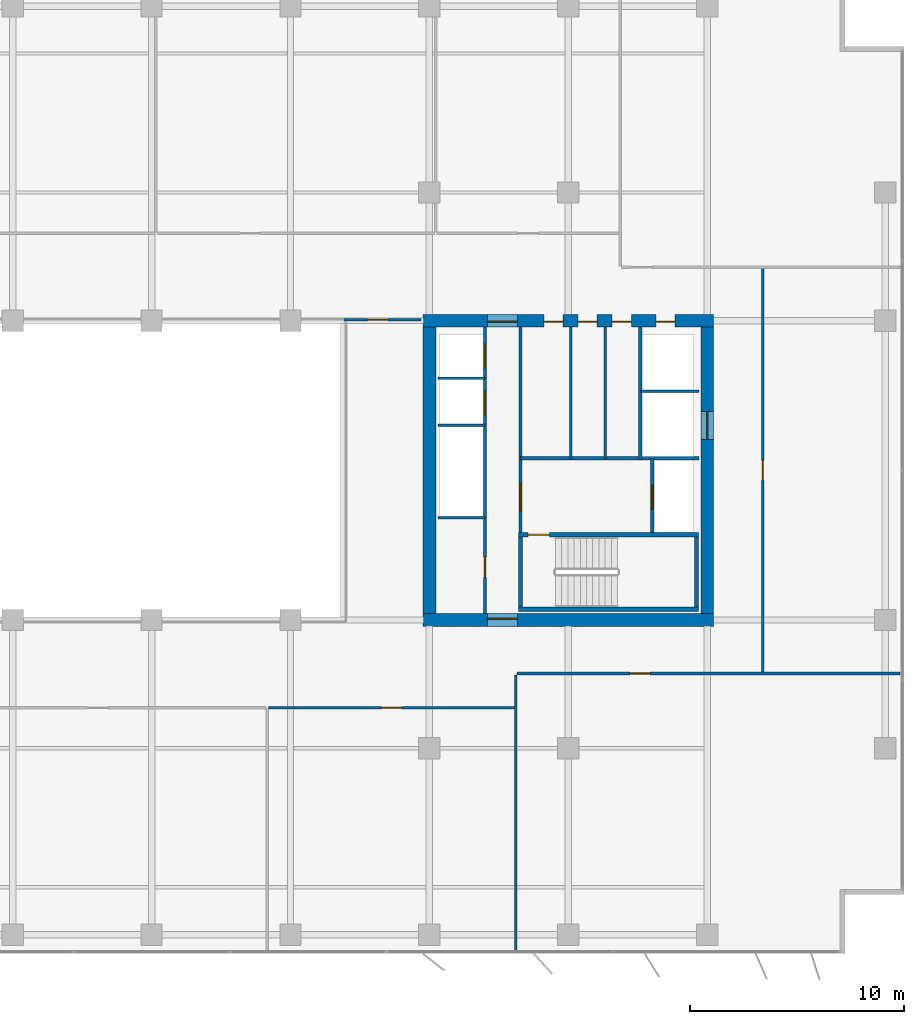
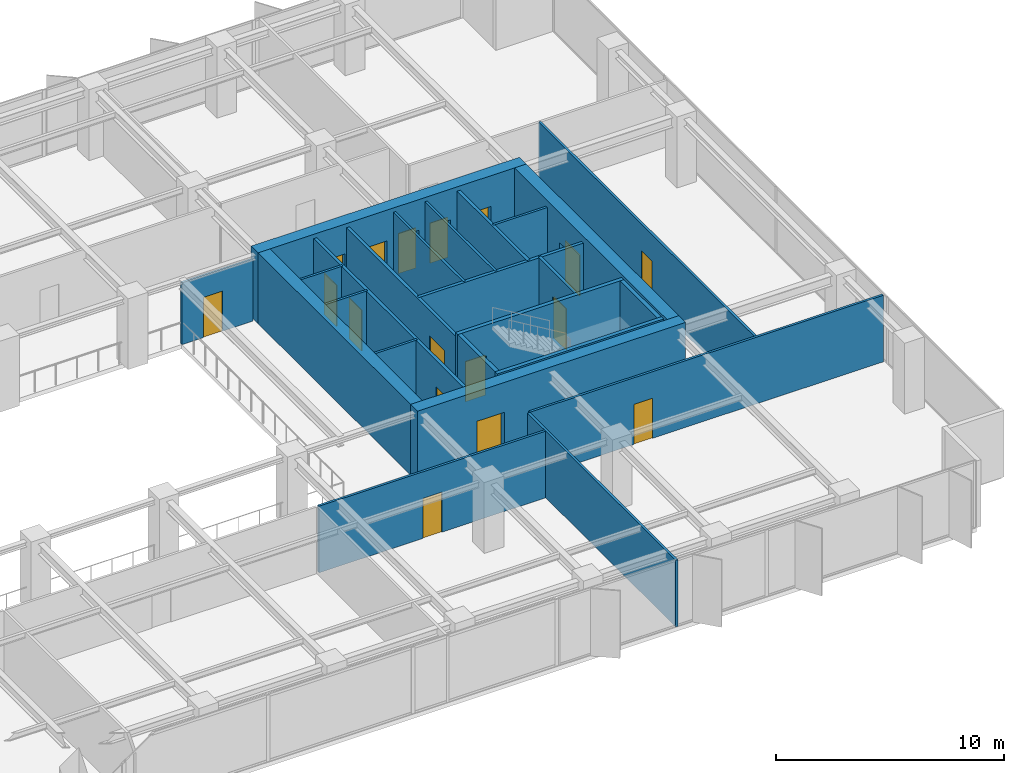
# One storey, part 16 of 22: 24 walls, 17 doors, 17 openings.
"""IFC4 building model written with IfcOpenShell, lengths in metres."""

import ifcopenshell
import ifcopenshell.guid

model = None  # the IFC model being written
_history = None  # IfcOwnerHistory: only IFC2X3 demands one
_inside = {}  # id of a spatial element -> (the spatial element, [elements in it])
_under = {}  # id of a project, library or spatial element -> (it, [spatial elements below it])
_declared = {}  # id of a project -> (the project, [libraries it declares])
_typed = {}  # id of a type object -> (the type object, [elements of that type])
_made_of = {}  # id of a material, layer set ... -> (it, [elements and type objects made of it])


def new_model(schema):
    """Start an empty IFC model of exactly this schema.

    Asked for "IFC4X3", IfcOpenShell would pick the latest addendum, in which some entities
    have other attributes; the version numbers below select the first issue.
    IFC2X3 requires an IfcOwnerHistory on every rooted entity: one is made here for all.
    """
    global model, _history
    if schema == "IFC4X3":
        model = ifcopenshell.file(schema_version=(4, 3, 0, 0))
    else:
        model = ifcopenshell.file(schema=schema)
    _inside.clear()
    _under.clear()
    _declared.clear()
    _typed.clear()
    _made_of.clear()
    _history = None
    if model.schema == "IFC2X3":
        org = make("IfcOrganization", Name="unknown")
        user = make(
            "IfcPersonAndOrganization",
            ThePerson=make("IfcPerson", FamilyName="unknown"),
            TheOrganization=org,
        )
        app = make(
            "IfcApplication",
            ApplicationDeveloper=org,
            Version="unknown",
            ApplicationFullName="unknown",
            ApplicationIdentifier="unknown",
        )
        _history = make(
            "IfcOwnerHistory",
            OwningUser=user,
            OwningApplication=app,
            ChangeAction="ADDED",
            CreationDate=0,
        )
    return model


def make(cls, **values):
    """One entity of the class cls with the attributes given. An attribute that is None is left unset."""
    return model.create_entity(
        cls, **{name: value for name, value in values.items() if value is not None}
    )


def rooted(cls, **values):
    """An entity with a GlobalId (a new one), such as an element, a storey or a relation."""
    return make(cls, GlobalId=ifcopenshell.guid.new(), OwnerHistory=_history, **values)


def si_unit(unit_type, name, prefix=None):
    """IfcSIUnit, for example si_unit("LENGTHUNIT", "METRE", prefix="MILLI")."""
    return make("IfcSIUnit", UnitType=unit_type, Prefix=prefix, Name=name)


def assignment(units):
    """IfcUnitAssignment: the units of a project."""
    return None if units is None else make("IfcUnitAssignment", Units=units)


def point(xyz):
    """IfcCartesianPoint."""
    return None if xyz is None else make("IfcCartesianPoint", Coordinates=xyz)


def direction(xyz):
    """IfcDirection."""
    return None if xyz is None else make("IfcDirection", DirectionRatios=xyz)


def frame(location, z_axis=None, x_axis=None):
    """IfcAxis2Placement3D, a coordinate frame: its origin and axes. An axis left out is left unset."""
    return make(
        "IfcAxis2Placement3D",
        Location=point(location),
        Axis=direction(z_axis),
        RefDirection=direction(x_axis),
    )


def frame_2d(location, x_axis=None):
    """IfcAxis2Placement2D, a coordinate frame in the plane: its origin and x axis."""
    return make(
        "IfcAxis2Placement2D", Location=point(location), RefDirection=direction(x_axis)
    )


def origin():
    """The frame at (0, 0, 0) with its axes left unset."""
    return frame((0.0, 0.0, 0.0))


def place(relative_to, where):
    """IfcLocalPlacement: puts the frame where relative to a parent placement (None: the world)."""
    return make(
        "IfcLocalPlacement", PlacementRelTo=relative_to, RelativePlacement=where
    )


def context(
    kind, dimensions, precision=None, world=None, true_north=None, identifier=None
):
    """IfcGeometricRepresentationContext, for example the 3D "Model" context."""
    return make(
        "IfcGeometricRepresentationContext",
        ContextIdentifier=identifier,
        ContextType=kind,
        CoordinateSpaceDimension=dimensions,
        Precision=precision,
        WorldCoordinateSystem=world,
        TrueNorth=true_north,
    )


def subcontext(parent, identifier, kind, view, scale=None):
    """IfcGeometricRepresentationSubContext, for example "Body" below "Model"."""
    return make(
        "IfcGeometricRepresentationSubContext",
        ContextIdentifier=identifier,
        ContextType=kind,
        ParentContext=parent,
        TargetScale=scale,
        TargetView=view,
    )


def project(units=None, contexts=None):
    """IfcProject with its units and contexts."""
    return rooted(
        "IfcProject",
        Name="project",
        RepresentationContexts=contexts,
        UnitsInContext=assignment(units),
    )


def spatial(cls, under=None, at=None, **own):
    """A site, building, storey or space (cls), placed at a placement, below another one or the project."""
    s = rooted(cls, ObjectPlacement=at, **own)
    if under is not None:
        _under.setdefault(under.id(), (under, []))[1].append(s)
    return s


def profile(cls, at=None, kind="AREA", **sizes):
    """A parametric profile (cls). Its sizes go by their IFC names, for example OverallWidth=200.0."""
    return make(cls, ProfileType=kind, Position=at, **sizes)


def rectangle(**sizes):
    """IfcRectangleProfileDef."""
    return profile("IfcRectangleProfileDef", **sizes)


def extrude(swept, where, along, depth):
    """IfcExtrudedAreaSolid: the profile swept, set in the frame where, extruded along a direction by depth."""
    return make(
        "IfcExtrudedAreaSolid",
        SweptArea=swept,
        Position=where,
        ExtrudedDirection=direction(along),
        Depth=depth,
    )


def shape(context_of_items, identifier, shape_type, items):
    """IfcShapeRepresentation: the items that make up one representation, for example the "Body"."""
    return make(
        "IfcShapeRepresentation",
        ContextOfItems=context_of_items,
        RepresentationIdentifier=identifier,
        RepresentationType=shape_type,
        Items=items,
    )


def material(Name=None, Category=None):
    """IfcMaterial."""
    return make("IfcMaterial", Name=Name, Category=Category)


def layer(
    of_material, thickness, ventilated=None, Name=None, Category=None, Priority=None
):
    """IfcMaterialLayer: one layer of a wall or slab, of a material (None: an air gap)."""
    return make(
        "IfcMaterialLayer",
        Material=of_material,
        LayerThickness=thickness,
        IsVentilated=ventilated,
        Name=Name,
        Category=Category,
        Priority=Priority,
    )


def layer_set(layers, Name=None):
    """IfcMaterialLayerSet."""
    return make("IfcMaterialLayerSet", MaterialLayers=layers, LayerSetName=Name)


def made_of(thing, what):
    """Note that an element or type object is made of a material, layer set ...; save() writes the relation."""
    if what is not None:
        _made_of.setdefault(what.id(), (what, []))[1].append(thing)
    return thing


def type_object(cls, material=None, **own):
    """A type object (cls), such as IfcWallType, which elements share."""
    return made_of(rooted(cls, **own), material)


def element(
    cls,
    number,
    at=None,
    inside=None,
    cuts=None,
    type_object=None,
    material=None,
    context=None,
    identifier="Body",
    shape_type=None,
    held_by="IfcProductDefinitionShape",
    body=None,
    shapes=None,
    **own,
):
    """One element of the class cls, such as IfcWall. Its Tag is "e" and its number.

    at: its placement. inside: the storey or other place that contains it. cuts: it is an
    opening in that element (IfcRelVoidsElement). A single representation is given by context,
    identifier, shape_type and body (its items); several are given by shapes. held_by: the class
    of the entity that holds the representations. save() writes the other relations.
    """
    e = rooted(cls, Tag="e%d" % number, ObjectPlacement=at, **own)
    if body is not None:
        shapes = [shape(context, identifier, shape_type, body)]
    if shapes is not None:
        e.Representation = make(held_by, Representations=shapes)
    if inside is not None:
        _inside.setdefault(inside.id(), (inside, []))[1].append(e)
    if cuts is not None:
        rooted(
            "IfcRelVoidsElement", RelatingBuildingElement=cuts, RelatedOpeningElement=e
        )
    if type_object is not None:
        _typed.setdefault(type_object.id(), (type_object, []))[1].append(e)
    return made_of(e, material)


def fill(opening, filler):
    """IfcRelFillsElement: the door or window that sits in an opening."""
    return rooted(
        "IfcRelFillsElement",
        RelatingOpeningElement=opening,
        RelatedBuildingElement=filler,
    )


def aggregate(whole, parts):
    """IfcRelAggregates: a whole, such as a stair, and the parts it consists of."""
    return rooted("IfcRelAggregates", RelatingObject=whole, RelatedObjects=parts)


def save(model, path):
    """Write the relations noted so far, then the file.

    IfcRelAggregates (storeys below a building ...), IfcRelContainedInSpatialStructure (elements
    in a storey), IfcRelDefinesByType, IfcRelAssociatesMaterial and IfcRelDeclares: one each for
    every whole, place, type object, material and project.
    """
    for whole, parts in _under.values():
        aggregate(whole, parts)
    for where, things in _inside.values():
        rooted(
            "IfcRelContainedInSpatialStructure",
            RelatedElements=things,
            RelatingStructure=where,
        )
    for kind, things in _typed.values():
        rooted("IfcRelDefinesByType", RelatedObjects=things, RelatingType=kind)
    for what, things in _made_of.values():
        rooted("IfcRelAssociatesMaterial", RelatedObjects=things, RelatingMaterial=what)
    for by, libraries in _declared.values():
        rooted("IfcRelDeclares", RelatingContext=by, RelatedDefinitions=libraries)
    model.write(path)


model = new_model("IFC4")

# Units and contexts
model_context = context("Model", 3, precision=1e-05, world=origin(), true_north=direction((0.0, 1.0)))
body_context = subcontext(model_context, "Body", "Model", "MODEL_VIEW")
ifc_project = project(units=[si_unit("LENGTHUNIT", "METRE"), si_unit("AREAUNIT", "SQUARE_METRE"), si_unit("VOLUMEUNIT", "CUBIC_METRE"), si_unit("PLANEANGLEUNIT", "RADIAN"), si_unit("MASSUNIT", "GRAM", prefix="KILO")], contexts=[model_context])

# Site, building, storey
site_placement = place(None, origin())
site = spatial("IfcSite", under=ifc_project, at=site_placement, CompositionType="ELEMENT")
building_placement = place(site_placement, origin())
building = spatial("IfcBuilding", under=site, at=building_placement, Name="Putna Gate Headquarters", CompositionType="ELEMENT")
storey_placement = place(building_placement, frame((0.0, 0.0, 148.0)))
storey = spatial("IfcBuildingStorey", under=building, at=storey_placement, Name="L36", CompositionType="ELEMENT", Elevation=148.0)

# Wall, opening, door
ifc_material_1 = material(Name="Concrete C50/60", Category="concrete")
ifc_layer_1 = layer(ifc_material_1, 0.60009765625)
ifc_layer_set_1 = layer_set([ifc_layer_1], Name="Concrete C50/60")
wall_type_1 = type_object("IfcWallType", Name="WALL-CORE-600", PredefinedType="SHEAR", material=ifc_layer_set_1)
wall_1_placement = place(storey_placement, frame((51.699951171875, 19.0, 0.0), z_axis=(0.0, 0.0, 1.0), x_axis=(1.0, 0.0, 0.0)))
wall_1 = element("IfcWall", 1, at=wall_1_placement, inside=storey, type_object=wall_type_1, Name="L36 EC Split Core Shear Wall S", PredefinedType="SHEAR", context=body_context, shape_type="SweptSolid", body=[
    extrude(rectangle(XDim=13.60009765625, YDim=0.60009765625, at=frame_2d((6.800048828125, 0.0))), origin(), (0.0, 0.0, 1.0), 3.800048828125),
])
opening_1_placement = place(wall_1_placement, frame((3.02001953125, 0.0, 0.0)))
opening_1 = element("IfcOpeningElement", 2, at=opening_1_placement, cuts=wall_1, Name="Opening FDD-140", PredefinedType="OPENING", context=body_context, shape_type="SweptSolid", body=[
    extrude(rectangle(XDim=1.39990234375, YDim=2.199951171875, at=frame_2d((0.699951171875, 1.10009765625))), frame((0.0, 0.31005859375, 0.0), z_axis=(0.0, -1.0, 0.0), x_axis=(1.0, 0.0, 0.0)), (0.0, 0.0, 1.0), 0.6201171875),
])
ifc_material_2 = material(Name="Double steel fire door", Category="steel")
door_type_1 = type_object("IfcDoorType", Name="DOOR-FIRE-DBL-1400", OperationType="DOUBLE_DOOR_SINGLE_SWING", PredefinedType="DOOR", material=ifc_material_2)
door_1_placement = place(opening_1_placement, origin())
door_1 = element("IfcDoor", 3, at=door_1_placement, inside=storey, type_object=door_type_1, Name="L36 East Lift Lobby South Door", OperationType="DOUBLE_DOOR_SINGLE_SWING", OverallHeight=2.199951171875, OverallWidth=1.39990234375, PredefinedType="DOOR", context=body_context, shape_type="SweptSolid", body=[
    extrude(rectangle(XDim=1.39990234375, YDim=2.199951171875, at=frame_2d((0.699951171875, 1.10009765625))), frame((0.0, 0.0751953125, 0.0), z_axis=(0.0, -1.0, 0.0), x_axis=(1.0, 0.0, 0.0)), (0.0, 0.0, 1.0), 0.050048828125),
])
fill(opening_1, door_1)

# Wall, openings, doors
wall_2_placement = place(storey_placement, frame((51.699951171875, 33.0, 0.0), z_axis=(0.0, 0.0, 1.0), x_axis=(1.0, 0.0, 0.0)))
wall_2 = element("IfcWall", 4, at=wall_2_placement, inside=storey, type_object=wall_type_1, Name="L36 EC Split Core Shear Wall N", PredefinedType="SHEAR", context=body_context, shape_type="SweptSolid", body=[
    extrude(rectangle(XDim=13.60009765625, YDim=0.60009765625, at=frame_2d((6.800048828125, 0.0))), origin(), (0.0, 0.0, 1.0), 3.800048828125),
])
opening_2_placement = place(wall_2_placement, frame((3.02001953125, 0.0, 0.0)))
opening_2 = element("IfcOpeningElement", 5, at=opening_2_placement, cuts=wall_2, Name="Opening FDD-140", PredefinedType="OPENING", context=body_context, shape_type="SweptSolid", body=[
    extrude(rectangle(XDim=1.39990234375, YDim=2.199951171875, at=frame_2d((0.699951171875, 1.10009765625))), frame((0.0, 0.31005859375, 0.0), z_axis=(0.0, -1.0, 0.0), x_axis=(1.0, 0.0, 0.0)), (0.0, 0.0, 1.0), 0.6201171875),
])
opening_3_placement = place(wall_2_placement, frame((10.89990234375, 0.0, 0.0)))
opening_3 = element("IfcOpeningElement", 6, at=opening_3_placement, cuts=wall_2, Name="Opening RD-90", PredefinedType="OPENING", context=body_context, shape_type="SweptSolid", body=[
    extrude(rectangle(XDim=0.89990234375, YDim=2.14990234375, at=frame_2d((0.449951171875, 1.074951171875))), frame((0.0, 0.31005859375, 0.0), z_axis=(0.0, -1.0, 0.0), x_axis=(1.0, 0.0, 0.0)), (0.0, 0.0, 1.0), 0.6201171875),
])
opening_4_placement = place(wall_2_placement, frame((5.64990234375, 0.0, 0.0)))
opening_4 = element("IfcOpeningElement", 7, at=opening_4_placement, cuts=wall_2, Name="Opening IDS-90", PredefinedType="OPENING", context=body_context, shape_type="SweptSolid", body=[
    extrude(rectangle(XDim=0.89990234375, YDim=2.14990234375, at=frame_2d((0.449951171875, 1.074951171875))), frame((0.0, 0.31005859375, 0.0), z_axis=(0.0, -1.0, 0.0), x_axis=(1.0, 0.0, 0.0)), (0.0, 0.0, 1.0), 0.6201171875),
])
opening_5_placement = place(wall_2_placement, frame((7.25, 0.0, 0.0)))
opening_5 = element("IfcOpeningElement", 8, at=opening_5_placement, cuts=wall_2, Name="Opening IDS-90", PredefinedType="OPENING", context=body_context, shape_type="SweptSolid", body=[
    extrude(rectangle(XDim=0.89990234375, YDim=2.14990234375, at=frame_2d((0.449951171875, 1.074951171875))), frame((0.0, 0.31005859375, 0.0), z_axis=(0.0, -1.0, 0.0), x_axis=(1.0, 0.0, 0.0)), (0.0, 0.0, 1.0), 0.6201171875),
])
opening_6_placement = place(wall_2_placement, frame((8.85009765625, 0.0, 0.0)))
opening_6 = element("IfcOpeningElement", 9, at=opening_6_placement, cuts=wall_2, Name="Opening IDS-90", PredefinedType="OPENING", context=body_context, shape_type="SweptSolid", body=[
    extrude(rectangle(XDim=0.89990234375, YDim=2.14990234375, at=frame_2d((0.449951171875, 1.074951171875))), frame((0.0, 0.31005859375, 0.0), z_axis=(0.0, -1.0, 0.0), x_axis=(1.0, 0.0, 0.0)), (0.0, 0.0, 1.0), 0.6201171875),
])
door_2_placement = place(opening_2_placement, origin())
door_2 = element("IfcDoor", 10, at=door_2_placement, inside=storey, type_object=door_type_1, Name="L36 East Lift Lobby North Door", OperationType="DOUBLE_DOOR_SINGLE_SWING", OverallHeight=2.199951171875, OverallWidth=1.39990234375, PredefinedType="DOOR", context=body_context, shape_type="SweptSolid", body=[
    extrude(rectangle(XDim=1.39990234375, YDim=2.199951171875, at=frame_2d((0.699951171875, 1.10009765625))), frame((0.0, -0.02490234375, 0.0), z_axis=(0.0, -1.0, 0.0), x_axis=(1.0, 0.0, 0.0)), (0.0, 0.0, 1.0), 0.050048828125),
])
fill(opening_2, door_2)
ifc_material_3 = material(Name="Fire-rated utility door")
door_type_2 = type_object("IfcDoorType", Name="DOOR-INT-900", OperationType="NOTDEFINED", PredefinedType="DOOR", material=ifc_material_3)
door_3_placement = place(opening_4_placement, origin())
door_3 = element("IfcDoor", 11, at=door_3_placement, inside=storey, type_object=door_type_2, Name="L36 East Cleaner Store Door", OperationType="SINGLE_SWING_RIGHT", OverallHeight=2.14990234375, OverallWidth=0.89990234375, PredefinedType="DOOR", context=body_context, shape_type="SweptSolid", body=[
    extrude(rectangle(XDim=0.89990234375, YDim=2.14990234375, at=frame_2d((0.449951171875, 1.074951171875))), frame((0.0, -0.02490234375, 0.0), z_axis=(0.0, -1.0, 0.0), x_axis=(1.0, 0.0, 0.0)), (0.0, 0.0, 1.0), 0.050048828125),
])
fill(opening_4, door_3)
door_4_placement = place(opening_5_placement, origin())
door_4 = element("IfcDoor", 12, at=door_4_placement, inside=storey, type_object=door_type_2, Name="L36 BMS Outstation Door", OperationType="SINGLE_SWING_LEFT", OverallHeight=2.14990234375, OverallWidth=0.89990234375, PredefinedType="DOOR", context=body_context, shape_type="SweptSolid", body=[
    extrude(rectangle(XDim=0.89990234375, YDim=2.14990234375, at=frame_2d((0.449951171875, 1.074951171875))), frame((0.0, -0.02490234375, 0.0), z_axis=(0.0, -1.0, 0.0), x_axis=(1.0, 0.0, 0.0)), (0.0, 0.0, 1.0), 0.050048828125),
])
fill(opening_5, door_4)
door_5_placement = place(opening_6_placement, origin())
door_5 = element("IfcDoor", 13, at=door_5_placement, inside=storey, type_object=door_type_2, Name="L36 Facilities Equipment Store Door", OperationType="SINGLE_SWING_RIGHT", OverallHeight=2.14990234375, OverallWidth=0.89990234375, PredefinedType="DOOR", context=body_context, shape_type="SweptSolid", body=[
    extrude(rectangle(XDim=0.89990234375, YDim=2.14990234375, at=frame_2d((0.449951171875, 1.074951171875))), frame((0.0, -0.02490234375, 0.0), z_axis=(0.0, -1.0, 0.0), x_axis=(1.0, 0.0, 0.0)), (0.0, 0.0, 1.0), 0.050048828125),
])
fill(opening_6, door_5)
ifc_material_4 = material(Name="Steel riser access fire door", Category="steel")
door_type_3 = type_object("IfcDoorType", Name="DOOR-RISER-900", OperationType="NOTDEFINED", PredefinedType="DOOR", material=ifc_material_4)
door_6_placement = place(opening_3_placement, origin())
door_6 = element("IfcDoor", 14, at=door_6_placement, inside=storey, type_object=door_type_3, Name="L36 East Riser Access Door", OperationType="SINGLE_SWING_LEFT", OverallHeight=2.14990234375, OverallWidth=0.89990234375, PredefinedType="DOOR", context=body_context, shape_type="SweptSolid", body=[
    extrude(rectangle(XDim=0.89990234375, YDim=2.14990234375, at=frame_2d((0.449951171875, 1.074951171875))), frame((0.0, -0.02490234375, 0.0), z_axis=(0.0, -1.0, 0.0), x_axis=(1.0, 0.0, 0.0)), (0.0, 0.0, 1.0), 0.050048828125),
])
fill(opening_3, door_6)

# Wall
wall_3_placement = place(storey_placement, frame((52.0, 19.300048828125, 0.0), z_axis=(0.0, 0.0, 1.0), x_axis=(0.0, 1.0, 0.0)))
element("IfcWall", 15, at=wall_3_placement, inside=storey, type_object=wall_type_1, Name="L36 EC Split Core Shear Wall W", PredefinedType="SHEAR", context=body_context, shape_type="SweptSolid", body=[
    extrude(rectangle(XDim=13.39990234375, YDim=0.60009765625, at=frame_2d((6.699951171875, 0.0))), origin(), (0.0, 0.0, 1.0), 3.800048828125),
])

# Wall, opening, door
wall_4_placement = place(storey_placement, frame((65.0, 19.300048828125, 0.0), z_axis=(0.0, 0.0, 1.0), x_axis=(0.0, 1.0, 0.0)))
wall_4 = element("IfcWall", 16, at=wall_4_placement, inside=storey, type_object=wall_type_1, Name="L36 EC Split Core Shear Wall E", PredefinedType="SHEAR", context=body_context, shape_type="SweptSolid", body=[
    extrude(rectangle(XDim=13.39990234375, YDim=0.60009765625, at=frame_2d((6.699951171875, 0.0))), origin(), (0.0, 0.0, 1.0), 3.800048828125),
])
opening_7_placement = place(wall_4_placement, frame((8.14990234375, 0.0, 0.0)))
opening_7 = element("IfcOpeningElement", 17, at=opening_7_placement, cuts=wall_4, Name="Opening LD-2", PredefinedType="OPENING", context=body_context, shape_type="SweptSolid", body=[
    extrude(rectangle(XDim=1.300048828125, YDim=2.199951171875, at=frame_2d((0.64990234375, 1.10009765625))), frame((0.0, 0.31005859375, 0.0), z_axis=(0.0, -1.0, 0.0), x_axis=(1.0, 0.0, 0.0)), (0.0, 0.0, 1.0), 0.6201171875),
])
ifc_material_5 = material(Name="Heavy-duty goods lift sliding landing door")
door_type_4 = type_object("IfcDoorType", Name="DOOR-LIFT-1300", OperationType="DOUBLE_DOOR_SLIDING", PredefinedType="DOOR", material=ifc_material_5)
door_7_placement = place(opening_7_placement, origin())
door_7 = element("IfcDoor", 18, at=door_7_placement, inside=storey, type_object=door_type_4, Name="L36 Goods Lift Landing Door LD-15", OperationType="DOUBLE_DOOR_SLIDING", OverallHeight=2.199951171875, OverallWidth=1.300048828125, PredefinedType="DOOR", context=body_context, shape_type="SweptSolid", body=[
    extrude(rectangle(XDim=1.300048828125, YDim=2.199951171875, at=frame_2d((0.64990234375, 1.10009765625))), frame((0.0, 0.02490234375, 0.0), z_axis=(0.0, -1.0, 0.0), x_axis=(1.0, 0.0, 0.0)), (0.0, 0.0, 1.0), 0.050048828125),
])
fill(opening_7, door_7)

ifc_material_6 = material(Name="Acoustic gypsum board on metal stud")
ifc_layer_2 = layer(ifc_material_6, 0.1201171875)
ifc_layer_set_2 = layer_set([ifc_layer_2], Name="Acoustic gypsum board on metal stud")
wall_type_2 = type_object("IfcWallType", Name="WALL-PART-120", PredefinedType="PARTITIONING", material=ifc_layer_set_2)
wall_5_placement = place(storey_placement, frame((48.0, 33.0400390625, 0.0), z_axis=(0.0, 0.0, 1.0), x_axis=(1.0, 0.0, 0.0)))
wall_5 = element("IfcWall", 19, at=wall_5_placement, inside=storey, type_object=wall_type_2, Name="L36 Interior Wall PART-L36-ATR-E-N", PredefinedType="PARTITIONING", context=body_context, shape_type="SweptSolid", body=[
    extrude(rectangle(XDim=3.60009765625, YDim=0.1201171875, at=frame_2d((1.800048828125, 0.0))), origin(), (0.0, 0.0, 1.0), 3.31201171875),
])
opening_8_placement = place(wall_5_placement, frame((1.10009765625, 0.0, 0.0)))
opening_8 = element("IfcOpeningElement", 20, at=opening_8_placement, cuts=wall_5, Name="Opening ID-95", PredefinedType="OPENING", context=body_context, shape_type="SweptSolid", body=[
    extrude(rectangle(XDim=0.949951171875, YDim=2.14990234375, at=frame_2d((0.47509765625, 1.074951171875))), frame((0.0, 0.070068359375, 0.0), z_axis=(0.0, -1.0, 0.0), x_axis=(1.0, 0.0, 0.0)), (0.0, 0.0, 1.0), 0.14013671875),
])
ifc_material_7 = material(Name="Veneered acoustic timber door", Category="wood")
door_type_5 = type_object("IfcDoorType", Name="DOOR-OFF-950", OperationType="NOTDEFINED", PredefinedType="DOOR", material=ifc_material_7)
door_8_placement = place(opening_8_placement, origin())
door_8 = element("IfcDoor", 21, at=door_8_placement, inside=storey, type_object=door_type_5, Name="L36 East Sky Atrium Lounge Door", OperationType="SINGLE_SWING_LEFT", OverallHeight=2.14990234375, OverallWidth=0.949951171875, PredefinedType="DOOR", context=body_context, shape_type="SweptSolid", body=[
    extrude(rectangle(XDim=0.949951171875, YDim=2.14990234375, at=frame_2d((0.47509765625, 1.074951171875))), frame((0.0, 0.02490234375, 0.0), z_axis=(0.0, -1.0, 0.0), x_axis=(1.0, 0.0, 0.0)), (0.0, 0.0, 1.0), 0.050048828125),
])
fill(opening_8, door_8)

# Walls
wall_6_placement = place(storey_placement, frame((56.03369140625, 3.419921875, 0.0), z_axis=(0.0, 0.0, 1.0), x_axis=(0.0, 1.0, 0.0)))
element("IfcWall", 22, at=wall_6_placement, inside=storey, type_object=wall_type_2, Name="L36 Interior Wall PART-L36-SB-DIV-04", PredefinedType="PARTITIONING", context=body_context, shape_type="SweptSolid", body=[
    extrude(rectangle(XDim=13.02001953125, YDim=0.1201171875, at=frame_2d((6.510009765625, 0.0))), origin(), (0.0, 0.0, 1.0), 3.572021484375),
])
ifc_material_8 = material(Name="Fire-rated shaftwall gypsum board on metal stud")
ifc_layer_3 = layer(ifc_material_8, 0.1201171875)
ifc_layer_set_3 = layer_set([ifc_layer_3], Name="Fire-rated shaftwall gypsum board on metal stud")
wall_type_3 = type_object("IfcWallType", Name="WALL-PART-120-EI120", PredefinedType="PARTITIONING", material=ifc_layer_set_3)
for number, where, z_axis, x_axis, name in (
    (23, (52.39990234375, 28.1201171875, 0.0), (0.0, 0.0, 1.0), (1.0, 0.0, 0.0), "L36 Interior Wall CWINT-L36-EC-LF08-DIV"),
    (24, (52.39990234375, 30.31005859375, 0.0), (0.0, 0.0, 1.0), (1.0, 0.0, 0.0), "L36 Interior Wall CWINT-L36-EC-LF11-DIV"),
):
    element("IfcWall", number, at=place(storey_placement, frame(where, z_axis=z_axis, x_axis=x_axis)), inside=storey, type_object=wall_type_3, Name=name, PredefinedType="PARTITIONING", context=body_context, shape_type="SweptSolid", body=[
        extrude(rectangle(XDim=2.2001953125, YDim=0.1201171875, at=frame_2d((1.10009765625, 0.0))), origin(), (0.0, 0.0, 1.0), 3.572021484375),
    ])
wall_7_placement = place(storey_placement, frame((61.8701171875, 29.699951171875, 0.0), z_axis=(0.0, 0.0, 1.0), x_axis=(1.0, 0.0, 0.0)))
element("IfcWall", 25, at=wall_7_placement, inside=storey, type_object=wall_type_3, Name="L36 Interior Wall CWINT-L36-EC-LF15-N", PredefinedType="PARTITIONING", context=body_context, shape_type="SweptSolid", body=[
    extrude(rectangle(XDim=2.72998046875, YDim=0.1201171875, at=frame_2d((1.364990234375, 0.0))), origin(), (0.0, 0.0, 1.0), 3.572021484375),
])
ifc_material_9 = material(Name="Fire-rated gypsum board on metal stud")
ifc_layer_4 = layer(ifc_material_9, 0.1201171875)
ifc_layer_set_4 = layer_set([ifc_layer_4], Name="Fire-rated gypsum board on metal stud")
wall_type_4 = type_object("IfcWallType", Name="WALL-PART-120-RATED", PredefinedType="PARTITIONING", material=ifc_layer_set_4)
wall_8_placement = place(storey_placement, frame((52.39990234375, 23.780029296875, 0.0), z_axis=(0.0, 0.0, 1.0), x_axis=(1.0, 0.0, 0.0)))
element("IfcWall", 26, at=wall_8_placement, inside=storey, type_object=wall_type_4, Name="L36 Interior Wall CWINT-L36-EC-LF04-DIV", PredefinedType="PARTITIONING", context=body_context, shape_type="SweptSolid", body=[
    extrude(rectangle(XDim=2.2001953125, YDim=0.1201171875, at=frame_2d((1.10009765625, 0.0))), origin(), (0.0, 0.0, 1.0), 3.572021484375),
])
for number, where, z_axis, x_axis, name in (
    (27, (58.6201171875, 26.56005859375, 0.0), (0.0, 0.0, 1.0), (0.0, 1.0, 0.0), "L36 Interior Wall CWINT-L36-EC-K2-D1"),
    (28, (60.219970703125, 26.56005859375, 0.0), (0.0, 0.0, 1.0), (0.0, 1.0, 0.0), "L36 Interior Wall CWINT-L36-EC-K2-D2"),
):
    element("IfcWall", number, at=place(storey_placement, frame(where, z_axis=z_axis, x_axis=x_axis)), inside=storey, type_object=wall_type_4, Name=name, PredefinedType="PARTITIONING", context=body_context, shape_type="SweptSolid", body=[
        extrude(rectangle(XDim=6.139892578125, YDim=0.1201171875, at=frame_2d((3.06982421875, 0.0))), origin(), (0.0, 0.0, 1.0), 3.572021484375),
    ])

# Wall, opening, door
wall_9_placement = place(storey_placement, frame((44.481201171875, 14.89990234375, 0.0), z_axis=(0.0, 0.0, 1.0), x_axis=(1.0, 0.0, 0.0)))
wall_9 = element("IfcWall", 29, at=wall_9_placement, inside=storey, type_object=wall_type_4, Name="L36 Interior Wall PART-L36-SB-CW-04", PredefinedType="PARTITIONING", context=body_context, shape_type="SweptSolid", body=[
    extrude(rectangle(XDim=11.492431640625, YDim=0.1201171875, at=frame_2d((5.74609375, 0.0))), origin(), (0.0, 0.0, 1.0), 3.572021484375),
])
opening_9_placement = place(wall_9_placement, frame((5.271240234375, 0.0, 0.0)))
opening_9 = element("IfcOpeningElement", 30, at=opening_9_placement, cuts=wall_9, Name="Opening FD-95", PredefinedType="OPENING", context=body_context, shape_type="SweptSolid", body=[
    extrude(rectangle(XDim=0.949951171875, YDim=2.14990234375, at=frame_2d((0.47509765625, 1.074951171875))), frame((0.0, 0.070068359375, 0.0), z_axis=(0.0, -1.0, 0.0), x_axis=(1.0, 0.0, 0.0)), (0.0, 0.0, 1.0), 0.14013671875),
])
ifc_material_10 = material(Name="Acoustic timber fire door", Category="wood")
door_type_6 = type_object("IfcDoorType", Name="DOOR-FIRE-950", OperationType="NOTDEFINED", PredefinedType="DOOR", material=ifc_material_10)
door_9_placement = place(opening_9_placement, origin())
door_9 = element("IfcDoor", 31, at=door_9_placement, inside=storey, type_object=door_type_6, Name="L36 Cellular Office 3 Door", OperationType="SINGLE_SWING_RIGHT", OverallHeight=2.14990234375, OverallWidth=0.949951171875, PredefinedType="DOOR", context=body_context, shape_type="SweptSolid", body=[
    extrude(rectangle(XDim=0.949951171875, YDim=2.14990234375, at=frame_2d((0.47509765625, 1.074951171875))), frame((0.0, 0.02490234375, 0.0), z_axis=(0.0, -1.0, 0.0), x_axis=(1.0, 0.0, 0.0)), (0.0, 0.0, 1.0), 0.050048828125),
])
fill(opening_9, door_9)

wall_10_placement = place(storey_placement, frame((56.09375, 16.5, 0.0), z_axis=(0.0, 0.0, 1.0), x_axis=(1.0, 0.0, 0.0)))
wall_10 = element("IfcWall", 32, at=wall_10_placement, inside=storey, type_object=wall_type_4, Name="L36 Interior Wall PART-L36-SB-CW-05", PredefinedType="PARTITIONING", context=body_context, shape_type="SweptSolid", body=[
    extrude(rectangle(XDim=17.92626953125, YDim=0.1201171875, at=frame_2d((8.963134765625, 0.0))), origin(), (0.0, 0.0, 1.0), 3.572021484375),
])
opening_10_placement = place(wall_10_placement, frame((5.2783203125, 0.0, 0.0)))
opening_10 = element("IfcOpeningElement", 33, at=opening_10_placement, cuts=wall_10, Name="Opening FD-95", PredefinedType="OPENING", context=body_context, shape_type="SweptSolid", body=[
    extrude(rectangle(XDim=0.949951171875, YDim=2.14990234375, at=frame_2d((0.47509765625, 1.074951171875))), frame((0.0, 0.070068359375, 0.0), z_axis=(0.0, -1.0, 0.0), x_axis=(1.0, 0.0, 0.0)), (0.0, 0.0, 1.0), 0.14013671875),
])
door_10_placement = place(opening_10_placement, origin())
door_10 = element("IfcDoor", 34, at=door_10_placement, inside=storey, type_object=door_type_6, Name="L36 Collaborative Breakout Lounge 2 Door", OperationType="SINGLE_SWING_LEFT", OverallHeight=2.14990234375, OverallWidth=0.949951171875, PredefinedType="DOOR", context=body_context, shape_type="SweptSolid", body=[
    extrude(rectangle(XDim=0.949951171875, YDim=2.14990234375, at=frame_2d((0.47509765625, 1.074951171875))), frame((0.0, 0.02490234375, 0.0), z_axis=(0.0, -1.0, 0.0), x_axis=(1.0, 0.0, 0.0)), (0.0, 0.0, 1.0), 0.050048828125),
])
fill(opening_10, door_10)

wall_11_placement = place(storey_placement, frame((67.60009765625, 16.5, 0.0), z_axis=(0.0, 0.0, 1.0), x_axis=(0.0, 1.0, 0.0)))
wall_11 = element("IfcWall", 35, at=wall_11_placement, inside=storey, type_object=wall_type_4, Name="L36 Interior Wall PART-L36-EW-CW-1", PredefinedType="PARTITIONING", context=body_context, shape_type="SweptSolid", body=[
    extrude(rectangle(XDim=19.0, YDim=0.1201171875, at=frame_2d((9.5, 0.0))), origin(), (0.0, 0.0, 1.0), 3.572021484375),
])
opening_11_placement = place(wall_11_placement, frame((9.02490234375, 0.0, 0.0)))
opening_11 = element("IfcOpeningElement", 36, at=opening_11_placement, cuts=wall_11, Name="Opening FD-95", PredefinedType="OPENING", context=body_context, shape_type="SweptSolid", body=[
    extrude(rectangle(XDim=0.949951171875, YDim=2.14990234375, at=frame_2d((0.47509765625, 1.074951171875))), frame((0.0, 0.070068359375, 0.0), z_axis=(0.0, -1.0, 0.0), x_axis=(1.0, 0.0, 0.0)), (0.0, 0.0, 1.0), 0.14013671875),
])
door_11_placement = place(opening_11_placement, origin())
door_11 = element("IfcDoor", 37, at=door_11_placement, inside=storey, type_object=door_type_6, Name="L36 East Advisory Office 1 Door", OperationType="SINGLE_SWING_RIGHT", OverallHeight=2.14990234375, OverallWidth=0.949951171875, PredefinedType="DOOR", context=body_context, shape_type="SweptSolid", body=[
    extrude(rectangle(XDim=0.949951171875, YDim=2.14990234375, at=frame_2d((0.47509765625, 1.074951171875))), frame((0.0, 0.02490234375, 0.0), z_axis=(0.0, -1.0, 0.0), x_axis=(1.0, 0.0, 0.0)), (0.0, 0.0, 1.0), 0.050048828125),
])
fill(opening_11, door_11)

# Wall, openings, doors
ifc_material_11 = material(Name="Concrete C40/50", Category="concrete")
ifc_layer_5 = layer(ifc_material_11, 0.159912109375)
ifc_layer_set_5 = layer_set([ifc_layer_5], Name="Concrete C40/50")
wall_type_5 = type_object("IfcWallType", Name="WALL-SHAFT-160", PredefinedType="STANDARD", material=ifc_layer_set_5)
wall_12_placement = place(storey_placement, frame((54.60009765625, 19.300048828125, 0.0), z_axis=(0.0, 0.0, 1.0), x_axis=(0.0, 1.0, 0.0)))
wall_12 = element("IfcWall", 38, at=wall_12_placement, inside=storey, type_object=wall_type_5, Name="L36 Interior Wall CWINT-L36-EC-PL-WALL", PredefinedType="STANDARD", context=body_context, shape_type="SweptSolid", body=[
    extrude(rectangle(XDim=13.39990234375, YDim=0.159912109375, at=frame_2d((6.699951171875, 0.0))), origin(), (0.0, 0.0, 1.0), 3.572021484375),
])
opening_12_placement = place(wall_12_placement, frame((1.699951171875, 0.0, 0.0)))
opening_12 = element("IfcOpeningElement", 39, at=opening_12_placement, cuts=wall_12, Name="Opening IDS-95", PredefinedType="OPENING", context=body_context, shape_type="SweptSolid", body=[
    extrude(rectangle(XDim=0.949951171875, YDim=2.14990234375, at=frame_2d((0.47509765625, 1.074951171875))), frame((0.0, 0.08984375, 0.0), z_axis=(0.0, -1.0, 0.0), x_axis=(1.0, 0.0, 0.0)), (0.0, 0.0, 1.0), 0.179931640625),
])
opening_13_placement = place(wall_12_placement, frame((9.300048828125, 0.0, 0.0)))
opening_13 = element("IfcOpeningElement", 40, at=opening_13_placement, cuts=wall_12, Name="Opening LD-1", PredefinedType="OPENING", context=body_context, shape_type="SweptSolid", body=[
    extrude(rectangle(XDim=1.10009765625, YDim=2.199951171875, at=frame_2d((0.550048828125, 1.10009765625))), frame((0.0, 0.08984375, 0.0), z_axis=(0.0, -1.0, 0.0), x_axis=(1.0, 0.0, 0.0)), (0.0, 0.0, 1.0), 0.179931640625),
])
opening_14_placement = place(wall_12_placement, frame((11.5, 0.0, 0.0)))
opening_14 = element("IfcOpeningElement", 41, at=opening_14_placement, cuts=wall_12, Name="Opening LD-1", PredefinedType="OPENING", context=body_context, shape_type="SweptSolid", body=[
    extrude(rectangle(XDim=1.10009765625, YDim=2.199951171875, at=frame_2d((0.550048828125, 1.10009765625))), frame((0.0, 0.08984375, 0.0), z_axis=(0.0, -1.0, 0.0), x_axis=(1.0, 0.0, 0.0)), (0.0, 0.0, 1.0), 0.179931640625),
])
ifc_material_12 = material(Name="Fire-rated service timber door", Category="wood")
door_type_7 = type_object("IfcDoorType", Name="DOOR-INT-950", OperationType="NOTDEFINED", PredefinedType="DOOR", material=ifc_material_12)
door_12_placement = place(opening_12_placement, origin())
door_12 = element("IfcDoor", 42, at=door_12_placement, inside=storey, type_object=door_type_7, Name="L36 Stationery Store Door", OperationType="SINGLE_SWING_RIGHT", OverallHeight=2.14990234375, OverallWidth=0.949951171875, PredefinedType="DOOR", context=body_context, shape_type="SweptSolid", body=[
    extrude(rectangle(XDim=0.949951171875, YDim=2.14990234375, at=frame_2d((0.47509765625, 1.074951171875))), frame((0.0, 0.02490234375, 0.0), z_axis=(0.0, -1.0, 0.0), x_axis=(1.0, 0.0, 0.0)), (0.0, 0.0, 1.0), 0.050048828125),
])
fill(opening_12, door_12)
ifc_material_13 = material(Name="Brushed bronze stainless lift landing door")
door_type_8 = type_object("IfcDoorType", Name="DOOR-LIFT-1100", OperationType="DOUBLE_DOOR_SLIDING", PredefinedType="DOOR", material=ifc_material_13)
door_13_placement = place(opening_13_placement, origin())
door_13 = element("IfcDoor", 43, at=door_13_placement, inside=storey, type_object=door_type_8, Name="L36 Lift Landing Door LD-11", OperationType="DOUBLE_DOOR_SLIDING", OverallHeight=2.199951171875, OverallWidth=1.10009765625, PredefinedType="DOOR", context=body_context, shape_type="SweptSolid", body=[
    extrude(rectangle(XDim=1.10009765625, YDim=2.199951171875, at=frame_2d((0.550048828125, 1.10009765625))), frame((0.0, 0.02490234375, 0.0), z_axis=(0.0, -1.0, 0.0), x_axis=(1.0, 0.0, 0.0)), (0.0, 0.0, 1.0), 0.050048828125),
])
fill(opening_13, door_13)
door_14_placement = place(opening_14_placement, origin())
door_14 = element("IfcDoor", 44, at=door_14_placement, inside=storey, type_object=door_type_8, Name="L36 Lift Landing Door LD-12", OperationType="DOUBLE_DOOR_SLIDING", OverallHeight=2.199951171875, OverallWidth=1.10009765625, PredefinedType="DOOR", context=body_context, shape_type="SweptSolid", body=[
    extrude(rectangle(XDim=1.10009765625, YDim=2.199951171875, at=frame_2d((0.550048828125, 1.10009765625))), frame((0.0, 0.02490234375, 0.0), z_axis=(0.0, -1.0, 0.0), x_axis=(1.0, 0.0, 0.0)), (0.0, 0.0, 1.0), 0.050048828125),
])
fill(opening_14, door_14)

# Wall, opening, door
wall_13_placement = place(storey_placement, frame((56.260009765625, 23.090087890625, 0.0), z_axis=(0.0, 0.0, 1.0), x_axis=(0.0, 1.0, 0.0)))
wall_13 = element("IfcWall", 45, at=wall_13_placement, inside=storey, type_object=wall_type_5, Name="L36 Interior Wall CWINT-L36-EC-LOB-E", PredefinedType="STANDARD", context=body_context, shape_type="SweptSolid", body=[
    extrude(rectangle(XDim=9.60986328125, YDim=0.159912109375, at=frame_2d((4.804931640625, 0.0))), origin(), (0.0, 0.0, 1.0), 3.572021484375),
])
opening_15_placement = place(wall_13_placement, frame((1.010009765625, 0.0, 0.0)))
opening_15 = element("IfcOpeningElement", 46, at=opening_15_placement, cuts=wall_13, Name="Opening FDD-130", PredefinedType="OPENING", context=body_context, shape_type="SweptSolid", body=[
    extrude(rectangle(XDim=1.300048828125, YDim=2.199951171875, at=frame_2d((0.64990234375, 1.10009765625))), frame((0.0, 0.08984375, 0.0), z_axis=(0.0, -1.0, 0.0), x_axis=(1.0, 0.0, 0.0)), (0.0, 0.0, 1.0), 0.179931640625),
])
ifc_material_14 = material(Name="Double steel lobby fire door", Category="steel")
door_type_9 = type_object("IfcDoorType", Name="DOOR-FIRE-DBL-1300", OperationType="DOUBLE_DOOR_SINGLE_SWING", PredefinedType="DOOR", material=ifc_material_14)
door_15_placement = place(opening_15_placement, origin())
door_15 = element("IfcDoor", 47, at=door_15_placement, inside=storey, type_object=door_type_9, Name="L36 East Firefighting Lobby Door", OperationType="DOUBLE_DOOR_SINGLE_SWING", OverallHeight=2.199951171875, OverallWidth=1.300048828125, PredefinedType="DOOR", context=body_context, shape_type="SweptSolid", body=[
    extrude(rectangle(XDim=1.300048828125, YDim=2.199951171875, at=frame_2d((0.64990234375, 1.10009765625))), frame((0.0, 0.02490234375, 0.0), z_axis=(0.0, -1.0, 0.0), x_axis=(1.0, 0.0, 0.0)), (0.0, 0.0, 1.0), 0.050048828125),
])
fill(opening_15, door_15)

wall_14_placement = place(storey_placement, frame((62.429931640625, 23.090087890625, 0.0), z_axis=(0.0, 0.0, 1.0), x_axis=(0.0, 1.0, 0.0)))
wall_14 = element("IfcWall", 48, at=wall_14_placement, inside=storey, type_object=wall_type_5, Name="L36 Interior Wall CWINT-L36-EC-LF14-W", PredefinedType="STANDARD", context=body_context, shape_type="SweptSolid", body=[
    extrude(rectangle(XDim=3.469970703125, YDim=0.159912109375, at=frame_2d((1.73486328125, 0.0))), origin(), (0.0, 0.0, 1.0), 3.572021484375),
])
opening_16_placement = place(wall_14_placement, frame((1.10009765625, 0.0, 0.0)))
opening_16 = element("IfcOpeningElement", 49, at=opening_16_placement, cuts=wall_14, Name="Opening LD-1", PredefinedType="OPENING", context=body_context, shape_type="SweptSolid", body=[
    extrude(rectangle(XDim=1.10009765625, YDim=2.199951171875, at=frame_2d((0.550048828125, 1.10009765625))), frame((0.0, 0.08984375, 0.0), z_axis=(0.0, -1.0, 0.0), x_axis=(1.0, 0.0, 0.0)), (0.0, 0.0, 1.0), 0.179931640625),
])
door_16_placement = place(opening_16_placement, origin())
door_16 = element("IfcDoor", 50, at=door_16_placement, inside=storey, type_object=door_type_8, Name="L36 Lift Landing Door LD-14", OperationType="DOUBLE_DOOR_SLIDING", OverallHeight=2.199951171875, OverallWidth=1.10009765625, PredefinedType="DOOR", context=body_context, shape_type="SweptSolid", body=[
    extrude(rectangle(XDim=1.10009765625, YDim=2.199951171875, at=frame_2d((0.550048828125, 1.10009765625))), frame((0.0, 0.02490234375, 0.0), z_axis=(0.0, -1.0, 0.0), x_axis=(1.0, 0.0, 0.0)), (0.0, 0.0, 1.0), 0.050048828125),
])
fill(opening_16, door_16)

# Walls
wall_15_placement = place(storey_placement, frame((56.260009765625, 26.56005859375, 0.0), z_axis=(0.0, 0.0, 1.0), x_axis=(1.0, 0.0, 0.0)))
element("IfcWall", 51, at=wall_15_placement, inside=storey, type_object=wall_type_5, Name="L36 Interior Wall CWINT-L36-EC-FFL-N", PredefinedType="STANDARD", context=body_context, shape_type="SweptSolid", body=[
    extrude(rectangle(XDim=8.340087890625, YDim=0.159912109375, at=frame_2d((4.169921875, 0.0))), origin(), (0.0, 0.0, 1.0), 3.572021484375),
])
wall_16_placement = place(storey_placement, frame((61.8701171875, 26.56005859375, 0.0), z_axis=(0.0, 0.0, 1.0), x_axis=(0.0, 1.0, 0.0)))
element("IfcWall", 52, at=wall_16_placement, inside=storey, type_object=wall_type_5, Name="L36 Interior Wall CWINT-L36-EC-LF15-W", PredefinedType="STANDARD", context=body_context, shape_type="SweptSolid", body=[
    extrude(rectangle(XDim=6.139892578125, YDim=0.159912109375, at=frame_2d((3.06982421875, 0.0))), origin(), (0.0, 0.0, 1.0), 3.572021484375),
])
ifc_layer_6 = layer(ifc_material_11, 0.199951171875)
ifc_layer_set_6 = layer_set([ifc_layer_6], Name="Concrete C40/50")
wall_type_6 = type_object("IfcWallType", Name="WALL-SHAFT-RC200", PredefinedType="SHEAR", material=ifc_layer_set_6)
wall_17_placement = place(storey_placement, frame((56.159912109375, 19.510009765625, 0.0), z_axis=(0.0, 0.0, 1.0), x_axis=(1.0, 0.0, 0.0)))
element("IfcWall", 53, at=wall_17_placement, inside=storey, type_object=wall_type_6, Name="L36 Stair ST2 Structural Shaft Wall S", PredefinedType="SHEAR", context=body_context, shape_type="SweptSolid", body=[
    extrude(rectangle(XDim=8.43017578125, YDim=0.199951171875, at=frame_2d((4.215087890625, 0.0))), origin(), (0.0, 0.0, 1.0), 3.800048828125),
])

# Wall, opening, door
wall_18_placement = place(storey_placement, frame((56.159912109375, 22.989990234375, 0.0), z_axis=(0.0, 0.0, 1.0), x_axis=(1.0, 0.0, 0.0)))
wall_18 = element("IfcWall", 54, at=wall_18_placement, inside=storey, type_object=wall_type_6, Name="L36 Stair ST2 Structural Shaft Wall N", PredefinedType="SHEAR", context=body_context, shape_type="SweptSolid", body=[
    extrude(rectangle(XDim=8.43017578125, YDim=0.199951171875, at=frame_2d((4.215087890625, 0.0))), origin(), (0.0, 0.0, 1.0), 3.800048828125),
])
opening_17_placement = place(wall_18_placement, frame((0.449951171875, 0.0, 0.0)))
opening_17 = element("IfcOpeningElement", 55, at=opening_17_placement, cuts=wall_18, Name="Opening FD-100", PredefinedType="OPENING", context=body_context, shape_type="SweptSolid", body=[
    extrude(rectangle(XDim=1.0, YDim=2.14990234375, at=frame_2d((0.5, 1.074951171875))), frame((0.0, 0.10986328125, 0.0), z_axis=(0.0, -1.0, 0.0), x_axis=(1.0, 0.0, 0.0)), (0.0, 0.0, 1.0), 0.219970703125),
])
ifc_material_15 = material(Name="Powder-coated steel fire door", Category="steel")
door_type_10 = type_object("IfcDoorType", Name="DOOR-FIRE-1000", OperationType="NOTDEFINED", PredefinedType="DOOR", material=ifc_material_15)
door_17_placement = place(opening_17_placement, origin())
door_17 = element("IfcDoor", 56, at=door_17_placement, inside=storey, type_object=door_type_10, Name="L36 Stair ST2 Fire Door", OperationType="SINGLE_SWING_RIGHT", OverallHeight=2.14990234375, OverallWidth=1.0, PredefinedType="DOOR", context=body_context, shape_type="SweptSolid", body=[
    extrude(rectangle(XDim=1.0, YDim=2.14990234375, at=frame_2d((0.5, 1.074951171875))), frame((0.0, 0.02490234375, 0.0), z_axis=(0.0, -1.0, 0.0), x_axis=(1.0, 0.0, 0.0)), (0.0, 0.0, 1.0), 0.050048828125),
])
fill(opening_17, door_17)

# Walls
for number, where, z_axis, x_axis, name in (
    (57, (56.260009765625, 19.610107421875, 0.0), (0.0, 0.0, 1.0), (0.0, 1.0, 0.0), "L36 Stair ST2 Structural Shaft Wall W"),
    (58, (64.489990234375, 19.610107421875, 0.0), (0.0, 0.0, 1.0), (0.0, 1.0, 0.0), "L36 Stair ST2 Structural Shaft Wall E"),
):
    element("IfcWall", number, at=place(storey_placement, frame(where, z_axis=z_axis, x_axis=x_axis)), inside=storey, type_object=wall_type_6, Name=name, PredefinedType="SHEAR", context=body_context, shape_type="SweptSolid", body=[
        extrude(rectangle(XDim=3.27978515625, YDim=0.199951171875, at=frame_2d((1.639892578125, 0.0))), origin(), (0.0, 0.0, 1.0), 3.800048828125),
    ])

save(model, "model.ifc")
